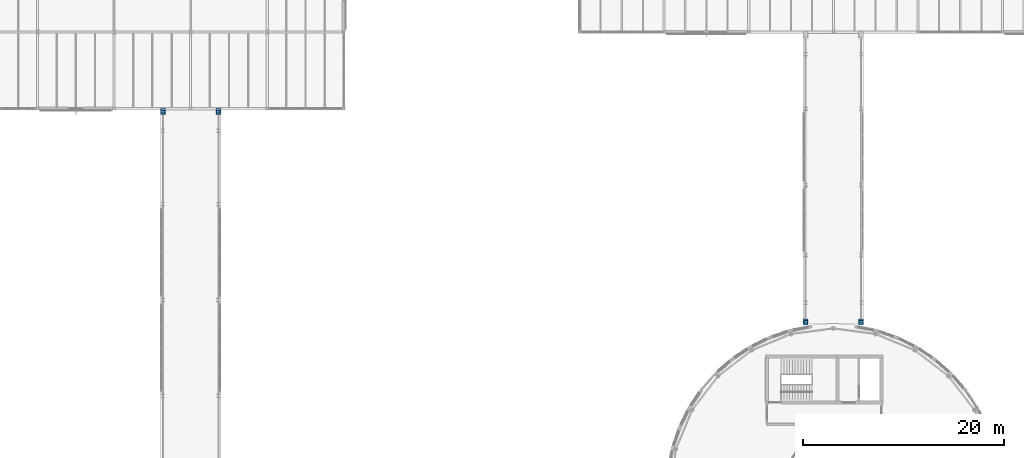
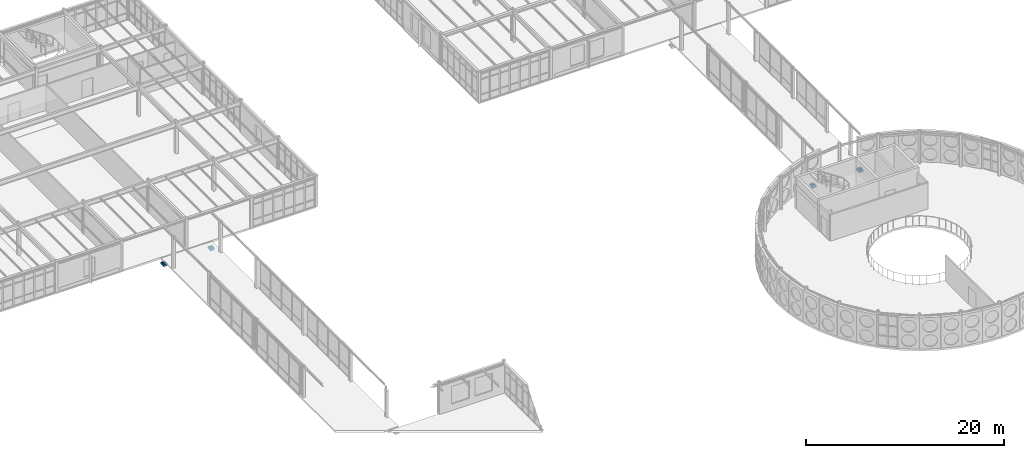
# One storey, part 172 of 189: 8 discrete accessories.
"""IFC4 building model written with IfcOpenShell, lengths in metres."""

from ifc_helpers import new_model, si_unit, direction, frame, origin, origin_2d, place, context, subcontext, project, spatial, rectangle, extrude, material, type_object, element, save


model = new_model("IFC4")

# Units and contexts
model_context = context("Model", 3, precision=1e-05, world=origin(), true_north=direction((0.0, 1.0)))
body_context = subcontext(model_context, "Body", "Model", "MODEL_VIEW")
ifc_project = project(units=[si_unit("LENGTHUNIT", "METRE"), si_unit("AREAUNIT", "SQUARE_METRE"), si_unit("VOLUMEUNIT", "CUBIC_METRE"), si_unit("PLANEANGLEUNIT", "RADIAN"), si_unit("MASSUNIT", "GRAM", prefix="KILO")], contexts=[model_context])

# Site, building, storey
site_placement = place(None, origin())
site = spatial("IfcSite", under=ifc_project, at=site_placement, CompositionType="ELEMENT")
building_placement = place(site_placement, origin())
building = spatial("IfcBuilding", under=site, at=building_placement, Name="Montecoro Central Library", CompositionType="ELEMENT")
storey_placement = place(building_placement, frame((0.0, 0.0, 9.179931640625)))
storey = spatial("IfcBuildingStorey", under=building, at=storey_placement, Name="L02", CompositionType="ELEMENT", Elevation=9.179931640625)

# Discrete accessories
ifc_material_1 = material(Name="Steel S355 and PTFE elastomer", Category="steel")
discrete_accessory_type_1 = type_object("IfcDiscreteAccessoryType", Name="BRG-SLIDE-01", PredefinedType="USERDEFINED", material=ifc_material_1)
for number, where, z_axis, x_axis, name in (
    (1, (88.85009765625, 52.219970703125, -0.544921875), (0.0, 0.0, 1.0), (1.0, 0.0, 0.0), "BR-N-L02-BRG-WA"),
    (2, (94.35009765625, 52.219970703125, -0.544921875), (0.0, 0.0, 1.0), (1.0, 0.0, 0.0), "BR-N-L02-BRG-EA"),
):
    element("IfcDiscreteAccessory", number, at=place(storey_placement, frame(where, z_axis=z_axis, x_axis=x_axis)), inside=storey, type_object=discrete_accessory_type_1, Name=name, ObjectType="GUIDED SLIDING BEARING", PredefinedType="USERDEFINED", context=body_context, shape_type="SweptSolid", body=[
        extrude(rectangle(XDim=0.360107421875, YDim=0.239990234375, at=origin_2d()), origin(), (0.0, 0.0, 1.0), 0.1201171875),
    ])
discrete_accessory_type_2 = type_object("IfcDiscreteAccessoryType", Name="BRG-SLIDE-02", PredefinedType="USERDEFINED", material=ifc_material_1)
for number, where, z_axis, x_axis, name in (
    (3, (25.050048828125, 73.10009765625, -0.544921875), (0.0, 0.0, 1.0), (1.0, 0.0, 0.0), "BR-W-L02-BRG-WB"),
    (4, (30.550048828125, 73.10009765625, -0.544921875), (0.0, 0.0, 1.0), (1.0, 0.0, 0.0), "BR-W-L02-BRG-EB"),
):
    element("IfcDiscreteAccessory", number, at=place(storey_placement, frame(where, z_axis=z_axis, x_axis=x_axis)), inside=storey, type_object=discrete_accessory_type_2, Name=name, ObjectType="FREE SLIDING BEARING", PredefinedType="USERDEFINED", context=body_context, shape_type="SweptSolid", body=[
        extrude(rectangle(XDim=0.360107421875, YDim=0.239990234375, at=origin_2d()), origin(), (0.0, 0.0, 1.0), 0.1201171875),
    ])
ifc_material_2 = material(Name="Steel S355", Category="steel")
discrete_accessory_type_3 = type_object("IfcDiscreteAccessoryType", Name="CORBEL-SEAT-600", PredefinedType="BRACKET", material=ifc_material_2)
for number, where, z_axis, x_axis, name in (
    (5, (88.85009765625, 52.219970703125, -0.80517578125), (0.0, 0.0, 1.0), (1.0, 0.0, 0.0), "BR-N-L02-SEAT-WA"),
    (6, (94.35009765625, 52.219970703125, -0.80517578125), (0.0, 0.0, 1.0), (1.0, 0.0, 0.0), "BR-N-L02-SEAT-EA"),
    (7, (25.050048828125, 73.10009765625, -0.80517578125), (0.0, 0.0, 1.0), (1.0, 0.0, 0.0), "BR-W-L02-SEAT-WB"),
    (8, (30.550048828125, 73.10009765625, -0.80517578125), (0.0, 0.0, 1.0), (1.0, 0.0, 0.0), "BR-W-L02-SEAT-EB"),
):
    element("IfcDiscreteAccessory", number, at=place(storey_placement, frame(where, z_axis=z_axis, x_axis=x_axis)), inside=storey, type_object=discrete_accessory_type_3, Name=name, PredefinedType="BRACKET", context=body_context, shape_type="SweptSolid", body=[
        extrude(rectangle(XDim=0.47998046875, YDim=0.60009765625, at=origin_2d()), origin(), (0.0, 0.0, 1.0), 0.260009765625),
    ])

save(model, "model.ifc")
